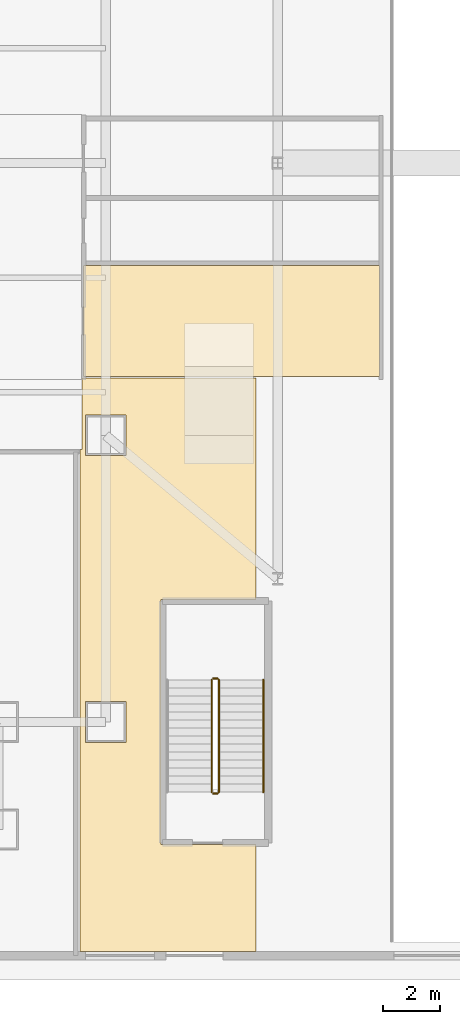
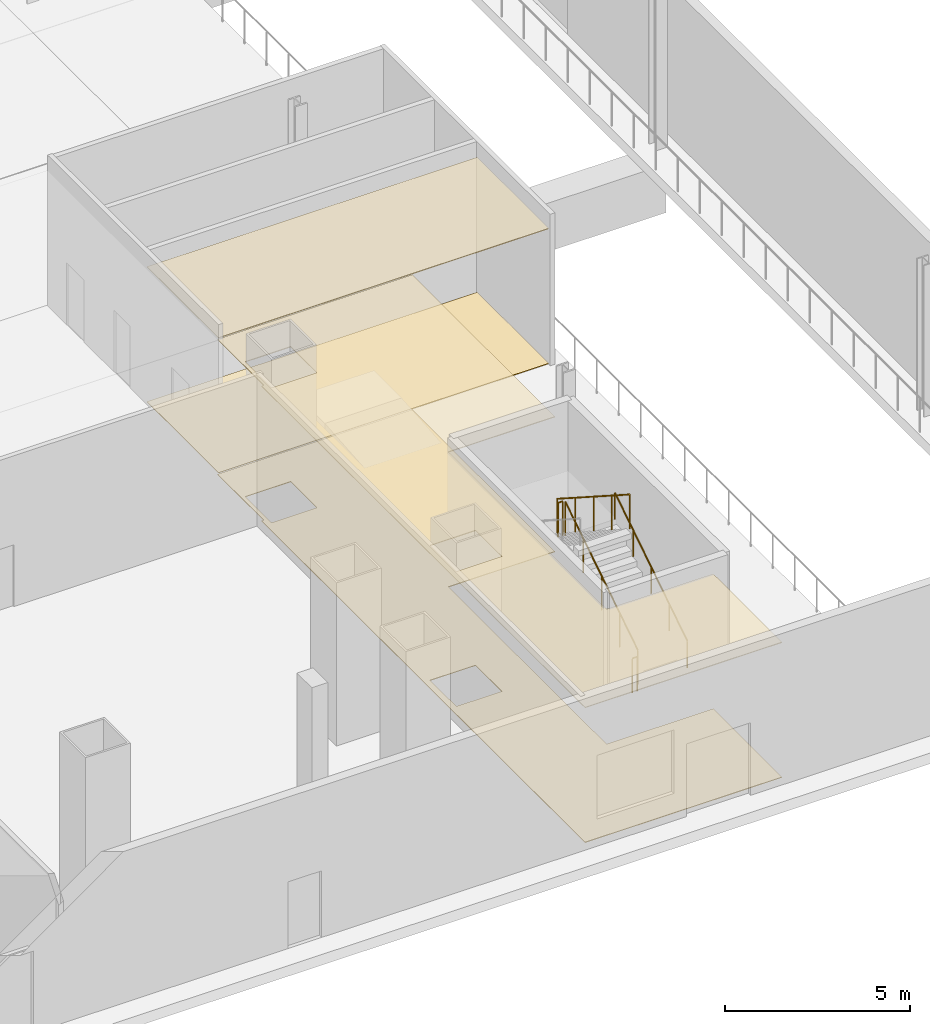
# One storey, part 21 of 24: 5 railings, 4 coverings.
"""IFC4 building model written with IfcOpenShell, lengths in metres."""

from ifc_helpers import new_model, si_unit, direction, frame, origin, origin_2d, place, context, subcontext, project, spatial, polyline, circle, outline, extrude, material, layer, layer_set, type_object, element, save


model = new_model("IFC4")

# Units and contexts
model_context = context("Model", 3, precision=1e-05, world=origin(), true_north=direction((0.0, 1.0)))
body_context = subcontext(model_context, "Body", "Model", "MODEL_VIEW")
ifc_project = project(units=[si_unit("LENGTHUNIT", "METRE"), si_unit("AREAUNIT", "SQUARE_METRE"), si_unit("VOLUMEUNIT", "CUBIC_METRE"), si_unit("PLANEANGLEUNIT", "RADIAN"), si_unit("MASSUNIT", "GRAM", prefix="KILO")], contexts=[model_context])

# Site, building, storey
site_placement = place(None, origin())
site = spatial("IfcSite", under=ifc_project, at=site_placement, CompositionType="ELEMENT")
building_placement = place(site_placement, origin())
building = spatial("IfcBuilding", under=site, at=building_placement, Name="Trevonay Congress Spire", CompositionType="ELEMENT")
storey_placement = place(building_placement, origin())
storey = spatial("IfcBuildingStorey", under=building, at=storey_placement, Name="L00", CompositionType="ELEMENT", Elevation=0.0)

# Coverings
ifc_material_1 = material(Name="Acoustic Mineral Fibre Board", Category="gypsum")
ifc_layer_1 = layer(ifc_material_1, 0.02490234375, Name="Acoustic Mineral Fibre Board")
ifc_layer_set_1 = layer_set([ifc_layer_1], Name="Acoustic Mineral Fibre Board")
covering_type_1 = type_object("IfcCoveringType", Name="COV-CEIL-ACOUSTIC", PredefinedType="CEILING", material=ifc_layer_set_1)
covering_1_placement = place(storey_placement, frame((0.0, 0.0, 4.449951171875)))
element("IfcCovering", 1, at=covering_1_placement, inside=storey, type_object=covering_type_1, Name="L00 Civic Exhibition Information Lounge acoustic suspended ceiling", PredefinedType="CEILING", context=body_context, shape_type="SweptSolid", body=[
    extrude(outline(polyline([(22.47998046875, -7.449951171875), (32.800048828125, -7.449951171875), (32.800048828125, -3.580078125), (22.47998046875, -3.580078125), (22.47998046875, -7.449951171875)])), origin(), (0.0, 0.0, 1.0), 0.025146484375),
])
covering_2_placement = place(storey_placement, frame((0.0, 0.0, 4.449951171875)))
element("IfcCovering", 2, at=covering_2_placement, inside=storey, type_object=covering_type_1, Name="L00 Protected Exit Passage SE acoustic suspended ceiling", PredefinedType="CEILING", context=body_context, shape_type="SweptSolid", body=[
    extrude(outline(polyline([(25.169921875, -15.219970703125), (25.169921875, -23.780029296875), (28.5, -23.780029296875), (28.5, -27.5), (22.35009765625, -27.5), (22.35009765625, -10.0), (22.419921875, -10.0), (22.419921875, -7.550048828125), (22.419921875, -7.5), (28.5, -7.5), (28.5, -15.219970703125), (25.169921875, -15.219970703125)]), holes=[polyline([(23.9599609375, -20.2099609375), (23.9599609375, -18.7900390625), (22.5400390625, -18.7900390625), (22.5400390625, -20.2099609375), (23.9599609375, -20.2099609375)]), polyline([(23.9599609375, -10.2099609375), (23.9599609375, -8.7900390625), (22.5400390625, -8.7900390625), (22.5400390625, -10.2099609375), (23.9599609375, -10.2099609375)])]), origin(), (0.0, 0.0, 1.0), 0.025146484375),
])
ifc_material_2 = material(Name="Polished Granite Floor Tile", Category="masonry")
ifc_layer_2 = layer(ifc_material_2, 0.02001953125, Name="Polished Granite Floor Tile")
ifc_layer_set_2 = layer_set([ifc_layer_2], Name="Polished Granite Floor Tile")
covering_type_2 = type_object("IfcCoveringType", Name="COV-FLOOR-STONE", PredefinedType="FLOORING", material=ifc_layer_set_2)
covering_3_placement = place(storey_placement, origin())
element("IfcCovering", 3, at=covering_3_placement, inside=storey, type_object=covering_type_2, Name="L00 Protected Exit Passage SE floor finish", PredefinedType="FLOORING", context=body_context, shape_type="SweptSolid", body=[
    extrude(outline(polyline([(25.169921875, -15.219970703125), (25.169921875, -23.780029296875), (28.5, -23.780029296875), (28.5, -27.5), (22.35009765625, -27.5), (22.35009765625, -10.0), (22.419921875, -10.0), (22.419921875, -7.550048828125), (22.419921875, -7.5), (28.5, -7.5), (28.5, -15.219970703125), (25.169921875, -15.219970703125)]), holes=[polyline([(23.9599609375, -20.2099609375), (23.9599609375, -18.7900390625), (22.5400390625, -18.7900390625), (22.5400390625, -20.2099609375), (23.9599609375, -20.2099609375)]), polyline([(23.9599609375, -10.2099609375), (23.9599609375, -8.7900390625), (22.5400390625, -8.7900390625), (22.5400390625, -10.2099609375), (23.9599609375, -10.2099609375)])]), origin(), (0.0, 0.0, 1.0), 0.02001953125),
])
ifc_material_3 = material(Name="Engineered Oak Flooring", Category="wood")
ifc_layer_3 = layer(ifc_material_3, 0.01806640625, Name="Engineered Oak Flooring")
ifc_layer_set_3 = layer_set([ifc_layer_3], Name="Engineered Oak Flooring")
covering_type_3 = type_object("IfcCoveringType", Name="COV-FLOOR-TIMBER", PredefinedType="FLOORING", material=ifc_layer_set_3)
covering_4_placement = place(storey_placement, origin())
element("IfcCovering", 4, at=covering_4_placement, inside=storey, type_object=covering_type_3, Name="L00 Civic Exhibition Information Lounge floor finish", PredefinedType="FLOORING", context=body_context, shape_type="SweptSolid", body=[
    extrude(outline(polyline([(22.47998046875, -7.449951171875), (32.800048828125, -7.449951171875), (32.800048828125, -3.580078125), (22.47998046875, -3.580078125), (22.47998046875, -7.449951171875)])), origin(), (0.0, 0.0, 1.0), 0.01806640625),
])

# Railings
ifc_material_4 = material(Name="Pale Anodised Aluminium EN AW-6063-T6", Category="aluminium")
railing_type_1 = type_object("IfcRailingType", Name="RAL-STAIR-GUARD-110", PredefinedType="GUARDRAIL", material=ifc_material_4)
railing_1_placement = place(storey_placement, frame((27.199951171875, -21.949951171875, 0.179931640625)))
element("IfcRailing", 5, at=railing_1_placement, inside=storey, type_object=railing_type_1, Name="L00 ST-4 stair guard 1", PredefinedType="GUARDRAIL", context=body_context, shape_type="SweptSolid", body=[
    extrude(circle(Radius=0.02392578125, at=origin_2d()), frame((0.0, 0.0, 1.1259765625), z_axis=(0.0, 0.841171666519, 0.540768182723), x_axis=(-1.0, 0.0, 0.0)), (0.0, 0.0, 1.0), 4.66015625),
    extrude(circle(Radius=0.02099609375, at=origin_2d()), origin(), (0.0, 0.0, 1.0), 1.101806640625),
    extrude(circle(Radius=0.02099609375, at=origin_2d()), frame((0.0, 0.97998046875, 0.6298828125)), (0.0, 0.0, 1.0), 1.101806640625),
    extrude(circle(Radius=0.02099609375, at=origin_2d()), frame((0.0, 1.9599609375, 1.260009765625)), (0.0, 0.0, 1.0), 1.101806640625),
    extrude(circle(Radius=0.02099609375, at=origin_2d()), frame((0.0, 2.93994140625, 1.89013671875)), (0.0, 0.0, 1.0), 1.101806640625),
    extrude(circle(Radius=0.02099609375, at=origin_2d()), frame((0.0, 3.919921875, 2.52001953125)), (0.0, 0.0, 1.0), 1.101806640625),
])
railing_2_placement = place(storey_placement, frame((27.14990234375, -17.97998046875, 2.699951171875)))
element("IfcRailing", 6, at=railing_2_placement, inside=storey, type_object=railing_type_1, Name="L00 ST-4 stair guard 2", PredefinedType="GUARDRAIL", context=body_context, shape_type="SweptSolid", body=[
    extrude(circle(Radius=0.02392578125, at=origin_2d()), frame((0.0, 0.0, 1.1259765625), z_axis=(-1.0, 0.0, 0.0), x_axis=(0.0, -1.0, 0.0)), (0.0, 0.0, 1.0), 0.14990234375),
    extrude(circle(Radius=0.02099609375, at=origin_2d()), origin(), (0.0, 0.0, 1.0), 1.101806640625),
    extrude(circle(Radius=0.02099609375, at=origin_2d()), frame((-0.14990234375, 0.0, 0.0)), (0.0, 0.0, 1.0), 1.101806640625),
])
railing_3_placement = place(storey_placement, frame((26.949951171875, -18.030029296875, 2.8798828125)))
element("IfcRailing", 7, at=railing_3_placement, inside=storey, type_object=railing_type_1, Name="L00 ST-4 stair guard 3", PredefinedType="GUARDRAIL", context=body_context, shape_type="SweptSolid", body=[
    extrude(circle(Radius=0.02392578125, at=origin_2d()), frame((0.0, 0.0, 1.1259765625), z_axis=(0.0, -0.841171666519, 0.540768182723), x_axis=(1.0, 0.0, 0.0)), (0.0, 0.0, 1.0), 4.66015625),
    extrude(circle(Radius=0.02099609375, at=origin_2d()), origin(), (0.0, 0.0, 1.0), 1.101806640625),
    extrude(circle(Radius=0.02099609375, at=origin_2d()), frame((0.0, -0.97998046875, 0.6298828125)), (0.0, 0.0, 1.0), 1.101806640625),
    extrude(circle(Radius=0.02099609375, at=origin_2d()), frame((0.0, -1.9599609375, 1.260009765625)), (0.0, 0.0, 1.0), 1.101806640625),
    extrude(circle(Radius=0.02099609375, at=origin_2d()), frame((0.0, -2.93994140625, 1.89013671875)), (0.0, 0.0, 1.0), 1.101806640625),
    extrude(circle(Radius=0.02099609375, at=origin_2d()), frame((0.0, -3.919921875, 2.52001953125)), (0.0, 0.0, 1.0), 1.101806640625),
])
railing_4_placement = place(storey_placement, frame((27.14990234375, -22.0, 0.0)))
element("IfcRailing", 8, at=railing_4_placement, inside=storey, type_object=railing_type_1, Name="L00 ST-4 stair guard 4", PredefinedType="GUARDRAIL", context=body_context, shape_type="SweptSolid", body=[
    extrude(circle(Radius=0.02392578125, at=origin_2d()), frame((0.0, 0.0, 1.1259765625), z_axis=(-1.0, 0.0, 0.0), x_axis=(0.0, -1.0, 0.0)), (0.0, 0.0, 1.0), 0.14990234375),
    extrude(circle(Radius=0.02099609375, at=origin_2d()), origin(), (0.0, 0.0, 1.0), 1.101806640625),
    extrude(circle(Radius=0.02099609375, at=origin_2d()), frame((-0.14990234375, 0.0, 0.0)), (0.0, 0.0, 1.0), 1.101806640625),
])
railing_type_2 = type_object("IfcRailingType", Name="RAL-STAIR-HANDRAIL", PredefinedType="HANDRAIL", material=ifc_material_4)
railing_5_placement = place(storey_placement, frame((28.75, -21.949951171875, 0.179931640625)))
element("IfcRailing", 9, at=railing_5_placement, inside=storey, type_object=railing_type_2, Name="L00 ST-4 stair handrail 1", PredefinedType="HANDRAIL", context=body_context, shape_type="SweptSolid", body=[
    extrude(circle(Radius=0.02392578125, at=origin_2d()), frame((0.0, 0.0, 0.8759765625), z_axis=(0.0, 0.841171666519, 0.540768182723), x_axis=(-1.0, 0.0, 0.0)), (0.0, 0.0, 1.0), 4.66015625),
    extrude(circle(Radius=0.02099609375, at=origin_2d()), origin(), (0.0, 0.0, 1.0), 0.851806640625),
    extrude(circle(Radius=0.02099609375, at=origin_2d()), frame((0.0, 0.97998046875, 0.6298828125)), (0.0, 0.0, 1.0), 0.851806640625),
    extrude(circle(Radius=0.02099609375, at=origin_2d()), frame((0.0, 1.9599609375, 1.260009765625)), (0.0, 0.0, 1.0), 0.851806640625),
    extrude(circle(Radius=0.02099609375, at=origin_2d()), frame((0.0, 2.93994140625, 1.89013671875)), (0.0, 0.0, 1.0), 0.851806640625),
    extrude(circle(Radius=0.02099609375, at=origin_2d()), frame((0.0, 3.919921875, 2.52001953125)), (0.0, 0.0, 1.0), 0.851806640625),
])

save(model, "model.ifc")
